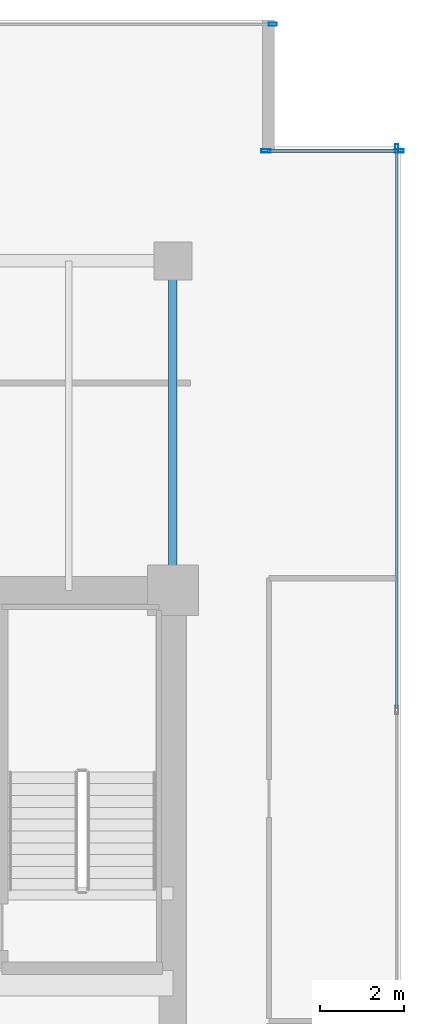
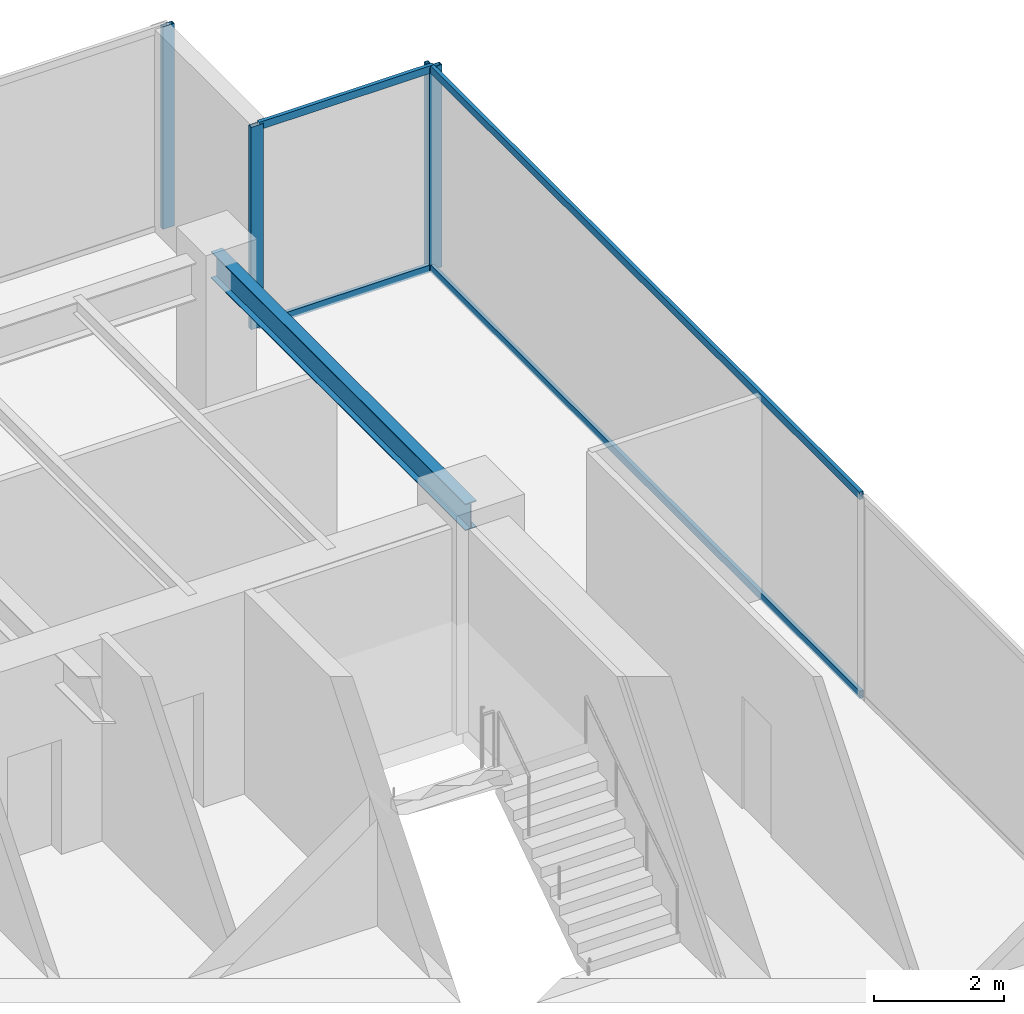
# One storey, part 23 of 30: 8 members, 1 beam, 3 elements without a shape of their own.
"""IFC4 building model written with IfcOpenShell, lengths in metres."""

import ifcopenshell
import ifcopenshell.guid

model = None  # the IFC model being written
_history = None  # IfcOwnerHistory: only IFC2X3 demands one
_inside = {}  # id of a spatial element -> (the spatial element, [elements in it])
_under = {}  # id of a project, library or spatial element -> (it, [spatial elements below it])
_declared = {}  # id of a project -> (the project, [libraries it declares])
_typed = {}  # id of a type object -> (the type object, [elements of that type])
_made_of = {}  # id of a material, layer set ... -> (it, [elements and type objects made of it])


def new_model(schema):
    """Start an empty IFC model of exactly this schema.

    Asked for "IFC4X3", IfcOpenShell would pick the latest addendum, in which some entities
    have other attributes; the version numbers below select the first issue.
    IFC2X3 requires an IfcOwnerHistory on every rooted entity: one is made here for all.
    """
    global model, _history
    if schema == "IFC4X3":
        model = ifcopenshell.file(schema_version=(4, 3, 0, 0))
    else:
        model = ifcopenshell.file(schema=schema)
    _inside.clear()
    _under.clear()
    _declared.clear()
    _typed.clear()
    _made_of.clear()
    _history = None
    if model.schema == "IFC2X3":
        org = make("IfcOrganization", Name="unknown")
        user = make(
            "IfcPersonAndOrganization",
            ThePerson=make("IfcPerson", FamilyName="unknown"),
            TheOrganization=org,
        )
        app = make(
            "IfcApplication",
            ApplicationDeveloper=org,
            Version="unknown",
            ApplicationFullName="unknown",
            ApplicationIdentifier="unknown",
        )
        _history = make(
            "IfcOwnerHistory",
            OwningUser=user,
            OwningApplication=app,
            ChangeAction="ADDED",
            CreationDate=0,
        )
    return model


def make(cls, **values):
    """One entity of the class cls with the attributes given. An attribute that is None is left unset."""
    return model.create_entity(
        cls, **{name: value for name, value in values.items() if value is not None}
    )


def rooted(cls, **values):
    """An entity with a GlobalId (a new one), such as an element, a storey or a relation."""
    return make(cls, GlobalId=ifcopenshell.guid.new(), OwnerHistory=_history, **values)


def si_unit(unit_type, name, prefix=None):
    """IfcSIUnit, for example si_unit("LENGTHUNIT", "METRE", prefix="MILLI")."""
    return make("IfcSIUnit", UnitType=unit_type, Prefix=prefix, Name=name)


def assignment(units):
    """IfcUnitAssignment: the units of a project."""
    return None if units is None else make("IfcUnitAssignment", Units=units)


def point(xyz):
    """IfcCartesianPoint."""
    return None if xyz is None else make("IfcCartesianPoint", Coordinates=xyz)


def direction(xyz):
    """IfcDirection."""
    return None if xyz is None else make("IfcDirection", DirectionRatios=xyz)


def frame(location, z_axis=None, x_axis=None):
    """IfcAxis2Placement3D, a coordinate frame: its origin and axes. An axis left out is left unset."""
    return make(
        "IfcAxis2Placement3D",
        Location=point(location),
        Axis=direction(z_axis),
        RefDirection=direction(x_axis),
    )


def frame_2d(location, x_axis=None):
    """IfcAxis2Placement2D, a coordinate frame in the plane: its origin and x axis."""
    return make(
        "IfcAxis2Placement2D", Location=point(location), RefDirection=direction(x_axis)
    )


def origin():
    """The frame at (0, 0, 0) with its axes left unset."""
    return frame((0.0, 0.0, 0.0))


def origin_2d():
    """The frame at (0, 0) in the plane with its x axis left unset."""
    return frame_2d((0.0, 0.0))


def place(relative_to, where):
    """IfcLocalPlacement: puts the frame where relative to a parent placement (None: the world)."""
    return make(
        "IfcLocalPlacement", PlacementRelTo=relative_to, RelativePlacement=where
    )


def context(
    kind, dimensions, precision=None, world=None, true_north=None, identifier=None
):
    """IfcGeometricRepresentationContext, for example the 3D "Model" context."""
    return make(
        "IfcGeometricRepresentationContext",
        ContextIdentifier=identifier,
        ContextType=kind,
        CoordinateSpaceDimension=dimensions,
        Precision=precision,
        WorldCoordinateSystem=world,
        TrueNorth=true_north,
    )


def subcontext(parent, identifier, kind, view, scale=None):
    """IfcGeometricRepresentationSubContext, for example "Body" below "Model"."""
    return make(
        "IfcGeometricRepresentationSubContext",
        ContextIdentifier=identifier,
        ContextType=kind,
        ParentContext=parent,
        TargetScale=scale,
        TargetView=view,
    )


def project(units=None, contexts=None):
    """IfcProject with its units and contexts."""
    return rooted(
        "IfcProject",
        Name="project",
        RepresentationContexts=contexts,
        UnitsInContext=assignment(units),
    )


def spatial(cls, under=None, at=None, **own):
    """A site, building, storey or space (cls), placed at a placement, below another one or the project."""
    s = rooted(cls, ObjectPlacement=at, **own)
    if under is not None:
        _under.setdefault(under.id(), (under, []))[1].append(s)
    return s


def profile(cls, at=None, kind="AREA", **sizes):
    """A parametric profile (cls). Its sizes go by their IFC names, for example OverallWidth=200.0."""
    return make(cls, ProfileType=kind, Position=at, **sizes)


def hollow_rectangle(**sizes):
    """IfcRectangleHollowProfileDef."""
    return profile("IfcRectangleHollowProfileDef", **sizes)


def i_section(**sizes):
    """IfcIShapeProfileDef."""
    return profile("IfcIShapeProfileDef", **sizes)


def extrude(swept, where, along, depth):
    """IfcExtrudedAreaSolid: the profile swept, set in the frame where, extruded along a direction by depth."""
    return make(
        "IfcExtrudedAreaSolid",
        SweptArea=swept,
        Position=where,
        ExtrudedDirection=direction(along),
        Depth=depth,
    )


def shape(context_of_items, identifier, shape_type, items):
    """IfcShapeRepresentation: the items that make up one representation, for example the "Body"."""
    return make(
        "IfcShapeRepresentation",
        ContextOfItems=context_of_items,
        RepresentationIdentifier=identifier,
        RepresentationType=shape_type,
        Items=items,
    )


def source(mapping_origin, context_of_items, identifier, shape_type, items):
    """IfcRepresentationMap: a shape defined once, which mapped items show again and again."""
    return make(
        "IfcRepresentationMap",
        MappingOrigin=mapping_origin,
        MappedRepresentation=shape(context_of_items, identifier, shape_type, items),
    )


def transform(
    local_origin,
    x_axis=None,
    y_axis=None,
    z_axis=None,
    scale=None,
    scale2=None,
    scale3=None,
    uniform=True,
):
    """IfcCartesianTransformationOperator3D, or its non-uniform kind. x_axis, y_axis, z_axis: its Axis1, 2, 3."""
    if uniform:
        return make(
            "IfcCartesianTransformationOperator3D",
            Axis1=direction(x_axis),
            Axis2=direction(y_axis),
            LocalOrigin=point(local_origin),
            Scale=scale,
            Axis3=direction(z_axis),
        )
    return make(
        "IfcCartesianTransformationOperator3DnonUniform",
        Axis1=direction(x_axis),
        Axis2=direction(y_axis),
        LocalOrigin=point(local_origin),
        Scale=scale,
        Axis3=direction(z_axis),
        Scale2=scale2,
        Scale3=scale3,
    )


def mapped(mapping_source, mapping_target):
    """IfcMappedItem: shows the shape of a source again, moved by a transform."""
    return make(
        "IfcMappedItem", MappingSource=mapping_source, MappingTarget=mapping_target
    )


def material(Name=None, Category=None):
    """IfcMaterial."""
    return make("IfcMaterial", Name=Name, Category=Category)


def layer(
    of_material, thickness, ventilated=None, Name=None, Category=None, Priority=None
):
    """IfcMaterialLayer: one layer of a wall or slab, of a material (None: an air gap)."""
    return make(
        "IfcMaterialLayer",
        Material=of_material,
        LayerThickness=thickness,
        IsVentilated=ventilated,
        Name=Name,
        Category=Category,
        Priority=Priority,
    )


def layer_set(layers, Name=None):
    """IfcMaterialLayerSet."""
    return make("IfcMaterialLayerSet", MaterialLayers=layers, LayerSetName=Name)


def material_profile(
    of_material, cross_section, Name=None, Category=None, Priority=None
):
    """IfcMaterialProfile: a cross section and its material."""
    return make(
        "IfcMaterialProfile",
        Name=Name,
        Material=of_material,
        Profile=cross_section,
        Priority=Priority,
        Category=Category,
    )


def profile_set(profiles, Name=None, composite=None):
    """IfcMaterialProfileSet."""
    return make(
        "IfcMaterialProfileSet",
        Name=Name,
        MaterialProfiles=profiles,
        CompositeProfile=composite,
    )


def made_of(thing, what):
    """Note that an element or type object is made of a material, layer set ...; save() writes the relation."""
    if what is not None:
        _made_of.setdefault(what.id(), (what, []))[1].append(thing)
    return thing


def type_object(cls, material=None, **own):
    """A type object (cls), such as IfcWallType, which elements share."""
    return made_of(rooted(cls, **own), material)


def type_shapes(of_type, sources):
    """Give a type object the sources (RepresentationMaps) that its elements show as mapped items."""
    of_type.RepresentationMaps = sources


def element(
    cls,
    number,
    at=None,
    inside=None,
    cuts=None,
    type_object=None,
    material=None,
    context=None,
    identifier="Body",
    shape_type=None,
    held_by="IfcProductDefinitionShape",
    body=None,
    shapes=None,
    **own,
):
    """One element of the class cls, such as IfcWall. Its Tag is "e" and its number.

    at: its placement. inside: the storey or other place that contains it. cuts: it is an
    opening in that element (IfcRelVoidsElement). A single representation is given by context,
    identifier, shape_type and body (its items); several are given by shapes. held_by: the class
    of the entity that holds the representations. save() writes the other relations.
    """
    e = rooted(cls, Tag="e%d" % number, ObjectPlacement=at, **own)
    if body is not None:
        shapes = [shape(context, identifier, shape_type, body)]
    if shapes is not None:
        e.Representation = make(held_by, Representations=shapes)
    if inside is not None:
        _inside.setdefault(inside.id(), (inside, []))[1].append(e)
    if cuts is not None:
        rooted(
            "IfcRelVoidsElement", RelatingBuildingElement=cuts, RelatedOpeningElement=e
        )
    if type_object is not None:
        _typed.setdefault(type_object.id(), (type_object, []))[1].append(e)
    return made_of(e, material)


def aggregate(whole, parts):
    """IfcRelAggregates: a whole, such as a stair, and the parts it consists of."""
    return rooted("IfcRelAggregates", RelatingObject=whole, RelatedObjects=parts)


def save(model, path):
    """Write the relations noted so far, then the file.

    IfcRelAggregates (storeys below a building ...), IfcRelContainedInSpatialStructure (elements
    in a storey), IfcRelDefinesByType, IfcRelAssociatesMaterial and IfcRelDeclares: one each for
    every whole, place, type object, material and project.
    """
    for whole, parts in _under.values():
        aggregate(whole, parts)
    for where, things in _inside.values():
        rooted(
            "IfcRelContainedInSpatialStructure",
            RelatedElements=things,
            RelatingStructure=where,
        )
    for kind, things in _typed.values():
        rooted("IfcRelDefinesByType", RelatedObjects=things, RelatingType=kind)
    for what, things in _made_of.values():
        rooted("IfcRelAssociatesMaterial", RelatedObjects=things, RelatingMaterial=what)
    for by, libraries in _declared.values():
        rooted("IfcRelDeclares", RelatingContext=by, RelatedDefinitions=libraries)
    model.write(path)


model = new_model("IFC4")

# Units and contexts
model_context = context("Model", 3, precision=1e-05, world=origin(), true_north=direction((0.0, 1.0)))
body_context = subcontext(model_context, "Body", "Model", "MODEL_VIEW")
ifc_project = project(units=[si_unit("LENGTHUNIT", "METRE"), si_unit("AREAUNIT", "SQUARE_METRE"), si_unit("VOLUMEUNIT", "CUBIC_METRE"), si_unit("PLANEANGLEUNIT", "RADIAN"), si_unit("MASSUNIT", "GRAM", prefix="KILO")], contexts=[model_context])

# Site, building, storey
site_placement = place(None, origin())
site = spatial("IfcSite", under=ifc_project, at=site_placement, CompositionType="ELEMENT")
building_placement = place(site_placement, origin())
building = spatial("IfcBuilding", under=site, at=building_placement, Name="Haelvirn Gate Laboratories", CompositionType="ELEMENT")
storey_placement = place(building_placement, frame((0.0, 0.0, 187.10009765625)))
storey = spatial("IfcBuildingStorey", under=building, at=storey_placement, Name="L45", CompositionType="ELEMENT", Elevation=187.10009765625)

# Beam
ifc_material_1 = material(Name="Steel SM355", Category="steel")
ifc_material_profile_1 = material_profile(ifc_material_1, i_section(OverallWidth=0.199951171875, OverallDepth=0.5, WebThickness=0.010009765625, FlangeThickness=0.01611328125, at=origin_2d()), Name="H-500x200x10x16")
ifc_profile_set_1 = profile_set([ifc_material_profile_1], Name="Steel SM355")
beam_type = type_object("IfcBeamType", Name="BM-SP-500", PredefinedType="SPANDREL", material=ifc_profile_set_1)
shared_shape_1 = source(origin(), body_context, "Body", "SweptSolid", [
    extrude(i_section(OverallWidth=0.199951171875, OverallDepth=0.5, WebThickness=0.010009765625, FlangeThickness=0.01611328125, at=origin_2d()), origin(), (0.0, 0.0, 1.0), 7.800048828125),
])
type_shapes(beam_type, [shared_shape_1])
beam_placement = place(storey_placement, frame((67.39990234375, 33.800048828125, 3.539794921875), z_axis=(0.0, 1.0, 0.0), x_axis=(-1.0, 0.0, 0.0)))
element("IfcBeam", 1, at=beam_placement, inside=storey, type_object=beam_type, Name="L45 Perimeter Spandrel X67.4 (33.8-41.6)", PredefinedType="SPANDREL", context=body_context, shape_type="MappedRepresentation", body=[
    mapped(shared_shape_1, transform((0.0, 0.0, 0.0), scale=1.0)),
])

# Curtain wall, members
ifc_material_2 = material(Name="Anodised bronze unitised aluminium & triple low-E glass", Category="aluminium")
ifc_layer_1 = layer(ifc_material_2, 0.181884765625, Name="CW-SYS-5")
ifc_layer_set_1 = layer_set([ifc_layer_1], Name="Anodised bronze unitised aluminium & triple low-E glass")
curtain_wall_type_1 = type_object("IfcCurtainWallType", Name="CW-SYS-5", PredefinedType="NOTDEFINED", material=ifc_layer_set_1)
curtain_wall_1_placement = place(storey_placement, origin())
curtain_wall_1 = element("IfcCurtainWall", 2, at=curtain_wall_1_placement, inside=storey, type_object=curtain_wall_type_1, Name="L45 Unitised Curtain Wall CW-L45-P0-E08-1", PredefinedType="NOTDEFINED")
ifc_material_3 = material(Name="Extruded aluminium 6063-T6 (anodised bronze)", Category="aluminium")
ifc_material_profile_2 = material_profile(ifc_material_3, hollow_rectangle(XDim=0.06494140625, YDim=0.139892578125, WallThickness=0.00390625, at=origin_2d()), Name="CWT-140x65x4")
ifc_profile_set_2 = profile_set([ifc_material_profile_2], Name="Extruded aluminium 6063-T6 (anodised bronze)")
member_type_1 = type_object("IfcMemberType", Name="CWT-T140", PredefinedType="USERDEFINED", material=ifc_profile_set_2)
shared_shape_2 = source(origin(), body_context, "Body", "SweptSolid", [
    extrude(hollow_rectangle(XDim=0.06494140625, YDim=0.139892578125, WallThickness=0.00390625, at=origin_2d()), origin(), (0.0, 0.0, 1.0), 3.080078125),
])
member_1_placement = place(storey_placement, frame((69.639892578125, 44.199951171875, 0.032470703125), z_axis=(1.0, 0.0, 0.0), x_axis=(0.0, 1.0, 0.0)))
member_1 = element("IfcMember", 3, at=member_1_placement, type_object=member_type_1, Name="CW5 transom 1.1", ObjectType="TRANSOM", PredefinedType="USERDEFINED", context=body_context, shape_type="MappedRepresentation", body=[
    mapped(shared_shape_2, transform((0.0, 0.0, 0.0), scale=1.0)),
])
member_2_placement = place(storey_placement, frame((69.639892578125, 44.199951171875, 3.75732421875), z_axis=(1.0, 0.0, 0.0), x_axis=(0.0, 1.0, 0.0)))
member_2 = element("IfcMember", 4, at=member_2_placement, type_object=member_type_1, Name="CW5 transom 1.2", ObjectType="TRANSOM", PredefinedType="USERDEFINED", context=body_context, shape_type="MappedRepresentation", body=[
    mapped(shared_shape_2, transform((0.0, 0.0, 0.0), scale=1.0)),
])

ifc_layer_2 = layer(ifc_material_2, 0.179931640625, Name="CW-SYS-3")
ifc_layer_set_2 = layer_set([ifc_layer_2], Name="Anodised bronze unitised aluminium & triple low-E glass")
curtain_wall_type_2 = type_object("IfcCurtainWallType", Name="CW-SYS-3", PredefinedType="NOTDEFINED", material=ifc_layer_set_2)
curtain_wall_2_placement = place(storey_placement, origin())
curtain_wall_2 = element("IfcCurtainWall", 5, at=curtain_wall_2_placement, inside=storey, type_object=curtain_wall_type_2, Name="L45 Unitised Curtain Wall CW-L45-P0-E07", PredefinedType="NOTDEFINED")
shared_shape_3 = source(origin(), body_context, "Body", "SweptSolid", [
    extrude(hollow_rectangle(XDim=0.06494140625, YDim=0.139892578125, WallThickness=0.00390625, at=origin_2d()), origin(), (0.0, 0.0, 1.0), 13.220947265625),
])
type_shapes(member_type_1, [shared_shape_2, shared_shape_3])
member_3_placement = place(storey_placement, frame((72.699951171875, 31.004150390625, 0.032470703125), z_axis=(0.0, 1.0, 0.0), x_axis=(-1.0, 0.0, 0.0)))
member_3 = element("IfcMember", 6, at=member_3_placement, type_object=member_type_1, Name="CW3 transom 3.1", ObjectType="TRANSOM", PredefinedType="USERDEFINED", context=body_context, shape_type="MappedRepresentation", body=[
    mapped(shared_shape_3, transform((0.0, 0.0, 0.0), scale=1.0)),
])
member_4_placement = place(storey_placement, frame((72.699951171875, 31.004150390625, 3.75732421875), z_axis=(0.0, 1.0, 0.0), x_axis=(-1.0, 0.0, 0.0)))
member_4 = element("IfcMember", 7, at=member_4_placement, type_object=member_type_1, Name="CW3 transom 3.2", ObjectType="TRANSOM", PredefinedType="USERDEFINED", context=body_context, shape_type="MappedRepresentation", body=[
    mapped(shared_shape_3, transform((0.0, 0.0, 0.0), scale=1.0)),
])
ifc_material_profile_3 = material_profile(ifc_material_3, hollow_rectangle(XDim=0.074951171875, YDim=0.199951171875, WallThickness=0.0048828125, at=origin_2d()), Name="CWM-200x75x5")
ifc_profile_set_3 = profile_set([ifc_material_profile_3], Name="Extruded aluminium 6063-T6 (anodised bronze)")
member_type_2 = type_object("IfcMemberType", Name="CWM-T200", PredefinedType="MULLION", material=ifc_profile_set_3)
shared_shape_4 = source(origin(), body_context, "Body", "SweptSolid", [
    extrude(hollow_rectangle(XDim=0.074951171875, YDim=0.199951171875, WallThickness=0.0048828125, at=origin_2d()), origin(), (0.0, 0.0, 1.0), 3.789794921875),
])
type_shapes(member_type_2, [shared_shape_4])
member_5_placement = place(storey_placement, frame((72.699951171875, 44.262451171875, 0.0), z_axis=(0.0, 0.0, 1.0), x_axis=(-1.0, 0.0, 0.0)))
member_5 = element("IfcMember", 8, at=member_5_placement, type_object=member_type_2, Name="CW3 mullion 4", PredefinedType="MULLION", context=body_context, shape_type="MappedRepresentation", body=[
    mapped(shared_shape_4, transform((0.0, 0.0, 0.0), scale=1.0)),
])
aggregate(curtain_wall_2, [member_5, member_3, member_4])

# Curtain wall, member
curtain_wall_3_placement = place(storey_placement, origin())
curtain_wall_3 = element("IfcCurtainWall", 9, at=curtain_wall_3_placement, inside=storey, type_object=curtain_wall_type_2, Name="L45 Unitised Curtain Wall CW-L45-P0-E10-1", PredefinedType="NOTDEFINED")
member_6_placement = place(storey_placement, frame((69.762451171875, 47.199951171875, 0.0), z_axis=(0.0, 0.0, 1.0), x_axis=(0.0, 1.0, 0.0)))
member_6 = element("IfcMember", 10, at=member_6_placement, type_object=member_type_2, Name="CW3 mullion 3", PredefinedType="MULLION", context=body_context, shape_type="MappedRepresentation", body=[
    mapped(shared_shape_4, transform((0.0, 0.0, 0.0), scale=1.0)),
])
aggregate(curtain_wall_3, [member_6])

# Member
ifc_material_profile_4 = material_profile(ifc_material_3, hollow_rectangle(XDim=0.080078125, YDim=0.219970703125, WallThickness=0.006103515625, at=origin_2d()), Name="CWM-220x80x6")
ifc_profile_set_4 = profile_set([ifc_material_profile_4], Name="Extruded aluminium 6063-T6 (anodised bronze)")
member_type_3 = type_object("IfcMemberType", Name="CWM-T220", PredefinedType="MULLION", material=ifc_profile_set_4)
shared_shape_5 = source(origin(), body_context, "Body", "SweptSolid", [
    extrude(hollow_rectangle(XDim=0.080078125, YDim=0.219970703125, WallThickness=0.006103515625, at=origin_2d()), origin(), (0.0, 0.0, 1.0), 3.789794921875),
])
type_shapes(member_type_3, [shared_shape_5])
member_7_placement = place(storey_placement, frame((69.60009765625, 44.199951171875, 0.0), z_axis=(0.0, 0.0, 1.0), x_axis=(0.0, 1.0, 0.0)))
member_7 = element("IfcMember", 11, at=member_7_placement, type_object=member_type_3, Name="CW5 mullion 1", PredefinedType="MULLION", context=body_context, shape_type="MappedRepresentation", body=[
    mapped(shared_shape_5, transform((0.0, 0.0, 0.0), scale=1.0)),
])

member_8_placement = place(storey_placement, frame((72.760009765625, 44.199951171875, 0.0), z_axis=(0.0, 0.0, 1.0), x_axis=(0.0, 1.0, 0.0)))
member_8 = element("IfcMember", 12, at=member_8_placement, type_object=member_type_3, Name="CW5 mullion 2", PredefinedType="MULLION", context=body_context, shape_type="MappedRepresentation", body=[
    mapped(shared_shape_5, transform((0.0, 0.0, 0.0), scale=1.0)),
])

aggregate(curtain_wall_1, [member_7, member_8, member_1, member_2])

save(model, "model.ifc")
